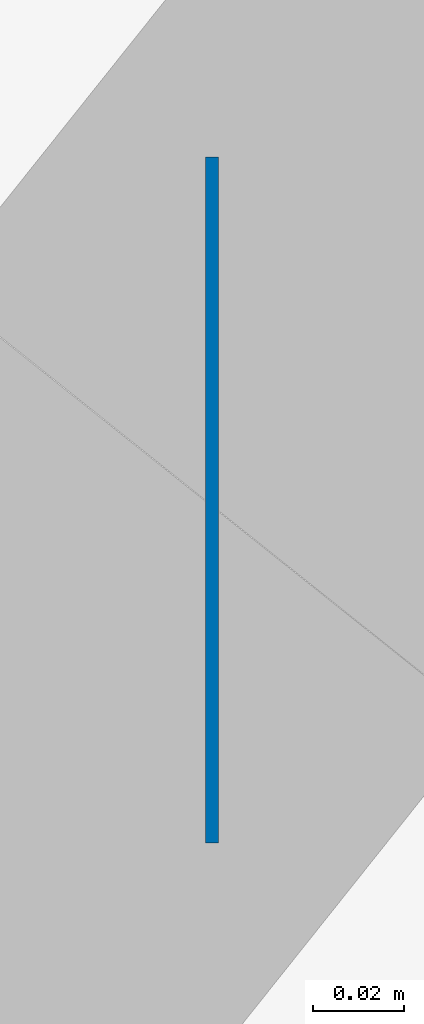
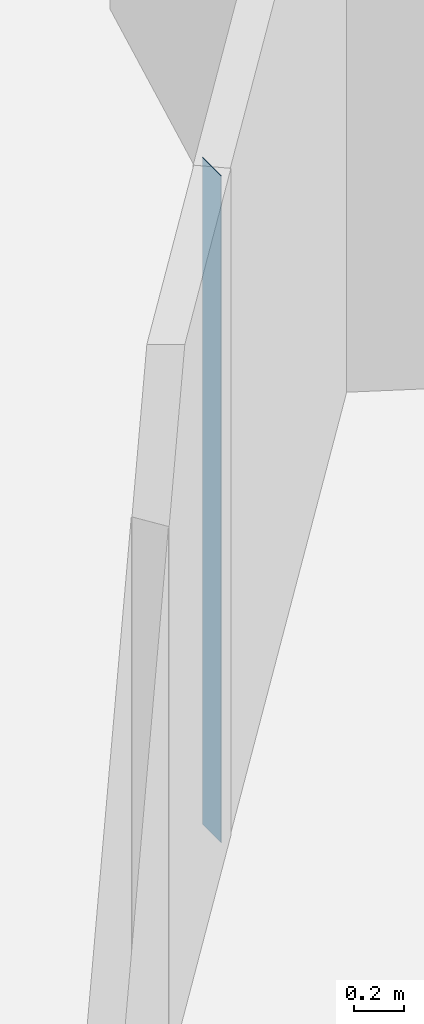
# One storey, part 5 of 13: 1 wall.
"""IFC4 building model written with IfcOpenShell, lengths in metres."""

from ifc_helpers import new_model, si_unit, direction, frame, frame_2d, origin, place, context, subcontext, project, spatial, rectangle, extrude, material, layer, layer_set, type_object, element, save


model = new_model("IFC4")

# Units and contexts
model_context = context("Model", 3, precision=1e-05, world=origin(), true_north=direction((0.0, 1.0)))
body_context = subcontext(model_context, "Body", "Model", "MODEL_VIEW")
ifc_project = project(units=[si_unit("LENGTHUNIT", "METRE"), si_unit("AREAUNIT", "SQUARE_METRE"), si_unit("VOLUMEUNIT", "CUBIC_METRE"), si_unit("PLANEANGLEUNIT", "RADIAN"), si_unit("MASSUNIT", "GRAM", prefix="KILO")], contexts=[model_context])

# Site, building, storey
site_placement = place(None, origin())
site = spatial("IfcSite", under=ifc_project, at=site_placement, CompositionType="ELEMENT")
building_placement = place(site_placement, origin())
building = spatial("IfcBuilding", under=site, at=building_placement, Name="Tracery Tower", CompositionType="ELEMENT")
storey_placement = place(building_placement, frame((0.0, 0.0, 259.800048828125)))
storey = spatial("IfcBuildingStorey", under=building, at=storey_placement, Name="L67", CompositionType="ELEMENT", Elevation=259.800048828125)

# Wall
ifc_material = material(Name="Plasterboard on steel studs", Category="steel")
ifc_layer = layer(ifc_material, 0.14990234375)
ifc_layer_set = layer_set([ifc_layer], Name="Partition 150 corridor wall")
wall_type = type_object("IfcWallType", Name="Partition 150 corridor wall", PredefinedType="PARTITIONING", material=ifc_layer_set)
wall_placement = place(storey_placement, frame((11.136962890625, -8.800048828125, 0.0), z_axis=(0.0, 0.0, 1.0), x_axis=(-1.0, 0.0, 0.0)))
element("IfcWall", 1, at=wall_placement, inside=storey, type_object=wall_type, Name="Corridor wall RC3-019", PredefinedType="PARTITIONING", context=body_context, shape_type="SweptSolid", body=[
    extrude(rectangle(XDim=0.0029296875, YDim=0.14990234375, at=frame_2d((0.00146484375, 0.0))), origin(), (0.0, 0.0, 1.0), 3.25),
])

save(model, "model.ifc")
